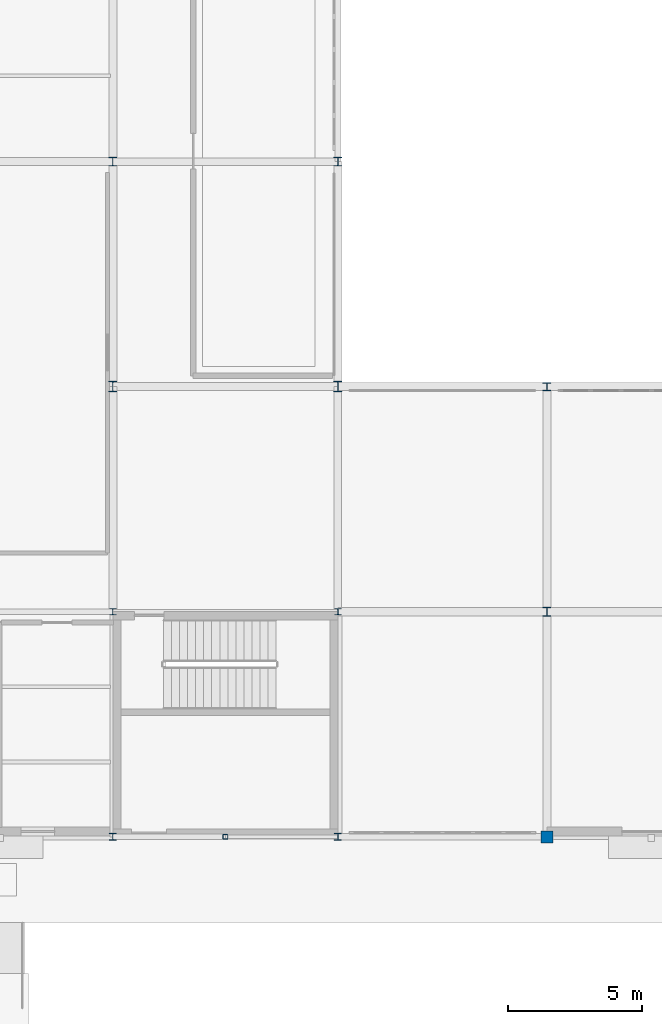
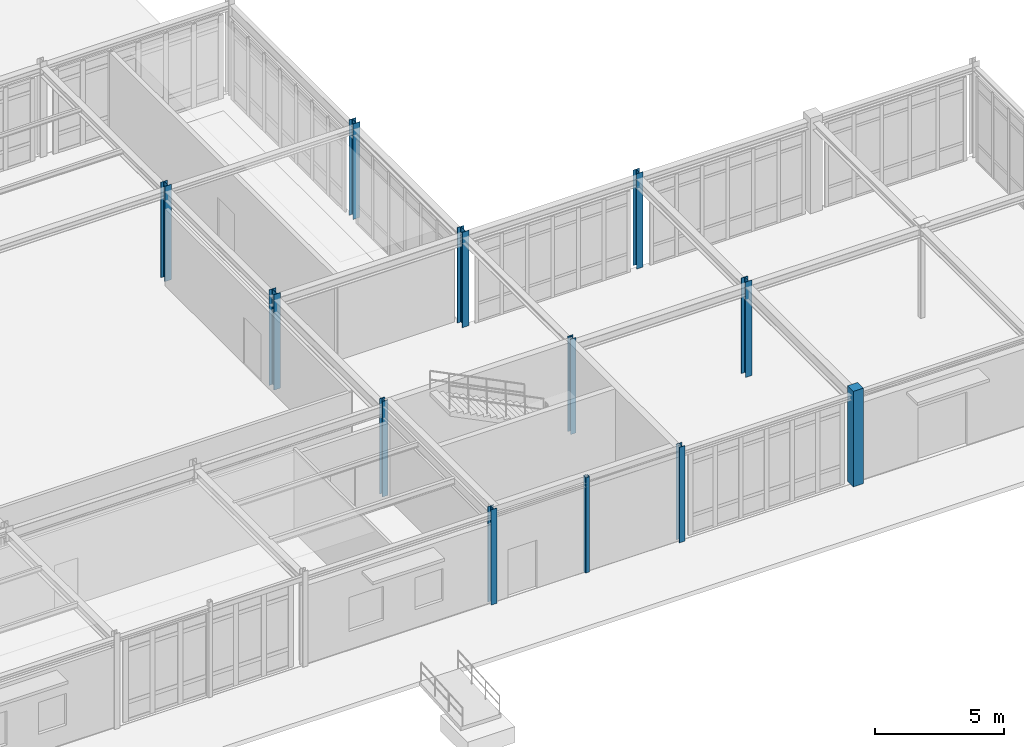
# One storey, part 19 of 101: 12 columns.
"""IFC4 building model written with IfcOpenShell, lengths in metres."""

from ifc_helpers import new_model, si_unit, derived_unit, direction, frame, origin, origin_2d, place, context, subcontext, project, spatial, rectangle, hollow_rectangle, i_section, extrude, material, material_profile, profile_set, type_object, element, save


model = new_model("IFC4")

# Units and contexts
model_context = context("Model", 3, precision=1e-05, world=origin(), true_north=direction((0.0, 1.0)))
body_context = subcontext(model_context, "Body", "Model", "MODEL_VIEW")
ifc_project = project(units=[si_unit("LENGTHUNIT", "METRE"), si_unit("AREAUNIT", "SQUARE_METRE"), si_unit("VOLUMEUNIT", "CUBIC_METRE"), si_unit("PLANEANGLEUNIT", "RADIAN"), si_unit("MASSUNIT", "GRAM", prefix="KILO"), derived_unit("THERMALTRANSMITTANCEUNIT", [(si_unit("POWERUNIT", "WATT"), 1), (si_unit("AREAUNIT", "SQUARE_METRE"), -1), (si_unit("THERMODYNAMICTEMPERATUREUNIT", "KELVIN"), -1)])], contexts=[model_context])

# Site, building, storey
site_placement = place(None, origin())
site = spatial("IfcSite", under=ifc_project, at=site_placement, CompositionType="ELEMENT")
building_placement = place(site_placement, origin())
building = spatial("IfcBuilding", under=site, at=building_placement, Name="Yasenodar Specialist Clinic", CompositionType="ELEMENT")
storey_placement = place(building_placement, origin())
storey = spatial("IfcBuildingStorey", under=building, at=storey_placement, Name="L00", CompositionType="ELEMENT", Elevation=0.0)

# Columns
ifc_material_1 = material(Name="Concrete C35/45", Category="concrete")
ifc_material_profile_1 = material_profile(ifc_material_1, rectangle(XDim=0.449951171875, YDim=0.449951171875, at=origin_2d()), Name="RC 450x450")
ifc_profile_set_1 = profile_set([ifc_material_profile_1], Name="Concrete C35/45")
column_type_1 = type_object("IfcColumnType", Name="COL-RC-450", PredefinedType="COLUMN", material=ifc_profile_set_1)
column_1_placement = place(storey_placement, frame((146.39990234375, 0.0, 0.0), z_axis=(0.0, 0.0, 1.0), x_axis=(1.0, 0.0, 0.0)))
element("IfcColumn", 1, at=column_1_placement, inside=storey, type_object=column_type_1, Name="L00 Column V3E-161", PredefinedType="COLUMN", context=body_context, shape_type="SweptSolid", body=[
    extrude(rectangle(XDim=0.449951171875, YDim=0.449951171875, at=origin_2d()), origin(), (0.0, 0.0, 1.0), 4.5),
])
ifc_material_2 = material(Name="Steel S355", Category="steel")
ifc_material_profile_2 = material_profile(ifc_material_2, i_section(OverallWidth=0.300048828125, OverallDepth=0.2900390625, WebThickness=0.008544921875, FlangeThickness=0.013916015625, FilletRadius=0.027099609375, at=origin_2d()), Name="HEA 300")
ifc_profile_set_2 = profile_set([ifc_material_profile_2], Name="Steel S355")
column_type_2 = type_object("IfcColumnType", Name="COL-ST-HEA300", PredefinedType="COLUMN", material=ifc_profile_set_2)
column_2_placement = place(storey_placement, frame((146.39990234375, 16.800048828125, 0.0), z_axis=(0.0, 0.0, 1.0), x_axis=(1.0, 0.0, 0.0)))
element("IfcColumn", 2, at=column_2_placement, inside=storey, type_object=column_type_2, Name="L00 Column V3E-163", PredefinedType="COLUMN", context=body_context, shape_type="SweptSolid", body=[
    extrude(i_section(OverallWidth=0.300048828125, OverallDepth=0.2900390625, WebThickness=0.008544921875, FlangeThickness=0.013916015625, FilletRadius=0.027099609375, at=origin_2d()), origin(), (0.0, 0.0, 1.0), 4.5),
])
ifc_material_profile_3 = material_profile(ifc_material_2, i_section(OverallWidth=0.300048828125, OverallDepth=0.330078125, WebThickness=0.009521484375, FlangeThickness=0.0166015625, FilletRadius=0.027099609375, at=origin_2d()), Name="HEA 340")
ifc_profile_set_3 = profile_set([ifc_material_profile_3], Name="Steel S355")
column_type_3 = type_object("IfcColumnType", Name="COL-ST-HEA340", PredefinedType="COLUMN", material=ifc_profile_set_3)
for number, where, z_axis, x_axis, name in (
    (3, (130.199951171875, 25.199951171875, 0.0), (0.0, 0.0, 1.0), (1.0, 0.0, 0.0), "L00 Column V3-149"),
    (4, (138.60009765625, 25.199951171875, 0.0), (0.0, 0.0, 1.0), (1.0, 0.0, 0.0), "L00 Column V3-159"),
    (5, (146.39990234375, 8.39990234375, 0.0), (0.0, 0.0, 1.0), (1.0, 0.0, 0.0), "L00 Column V3E-162"),
):
    element("IfcColumn", number, at=place(storey_placement, frame(where, z_axis=z_axis, x_axis=x_axis)), inside=storey, type_object=column_type_3, Name=name, PredefinedType="COLUMN", context=body_context, shape_type="SweptSolid", body=[
        extrude(i_section(OverallWidth=0.300048828125, OverallDepth=0.330078125, WebThickness=0.009521484375, FlangeThickness=0.0166015625, FilletRadius=0.027099609375, at=origin_2d()), origin(), (0.0, 0.0, 1.0), 4.5),
    ])
ifc_material_profile_4 = material_profile(ifc_material_2, i_section(OverallWidth=0.300048828125, OverallDepth=0.389892578125, WebThickness=0.010986328125, FlangeThickness=0.01904296875, FilletRadius=0.027099609375, at=origin_2d()), Name="HEA 400")
ifc_profile_set_4 = profile_set([ifc_material_profile_4], Name="Steel S355")
column_type_4 = type_object("IfcColumnType", Name="COL-ST-HEA400", PredefinedType="COLUMN", material=ifc_profile_set_4)
for number, where, z_axis, x_axis, name in (
    (6, (130.199951171875, 16.800048828125, 0.0), (0.0, 0.0, 1.0), (1.0, 0.0, 0.0), "L00 Column V3-148"),
    (7, (138.60009765625, 16.800048828125, 0.0), (0.0, 0.0, 1.0), (1.0, 0.0, 0.0), "L00 Column V3-158"),
):
    element("IfcColumn", number, at=place(storey_placement, frame(where, z_axis=z_axis, x_axis=x_axis)), inside=storey, type_object=column_type_4, Name=name, PredefinedType="COLUMN", context=body_context, shape_type="SweptSolid", body=[
        extrude(i_section(OverallWidth=0.300048828125, OverallDepth=0.389892578125, WebThickness=0.010986328125, FlangeThickness=0.01904296875, FilletRadius=0.027099609375, at=origin_2d()), origin(), (0.0, 0.0, 1.0), 4.5),
    ])
ifc_material_profile_5 = material_profile(ifc_material_2, i_section(OverallWidth=0.239990234375, OverallDepth=0.239990234375, WebThickness=0.010009765625, FlangeThickness=0.01708984375, FilletRadius=0.02099609375, at=origin_2d()), Name="HEB 240")
ifc_profile_set_5 = profile_set([ifc_material_profile_5], Name="Steel S355")
column_type_5 = type_object("IfcColumnType", Name="COL-ST-HEB240", PredefinedType="COLUMN", material=ifc_profile_set_5)
for number, where, z_axis, x_axis, name in (
    (8, (130.199951171875, 8.39990234375, 0.0), (0.0, 0.0, 1.0), (1.0, 0.0, 0.0), "L00 Column V3-147"),
    (9, (138.60009765625, 8.39990234375, 0.0), (0.0, 0.0, 1.0), (1.0, 0.0, 0.0), "L00 Column V3-157"),
):
    element("IfcColumn", number, at=place(storey_placement, frame(where, z_axis=z_axis, x_axis=x_axis)), inside=storey, type_object=column_type_5, Name=name, PredefinedType="COLUMN", context=body_context, shape_type="SweptSolid", body=[
        extrude(i_section(OverallWidth=0.239990234375, OverallDepth=0.239990234375, WebThickness=0.010009765625, FlangeThickness=0.01708984375, FilletRadius=0.02099609375, at=origin_2d()), origin(), (0.0, 0.0, 1.0), 4.5),
    ])
ifc_material_profile_6 = material_profile(ifc_material_2, i_section(OverallWidth=0.260009765625, OverallDepth=0.260009765625, WebThickness=0.010009765625, FlangeThickness=0.017578125, FilletRadius=0.02392578125, at=origin_2d()), Name="HEB 260")
ifc_profile_set_6 = profile_set([ifc_material_profile_6], Name="Steel S355")
column_type_6 = type_object("IfcColumnType", Name="COL-ST-HEB260", PredefinedType="COLUMN", material=ifc_profile_set_6)
for number, where, z_axis, x_axis, name in (
    (10, (130.199951171875, 0.0, 0.0), (0.0, 0.0, 1.0), (1.0, 0.0, 0.0), "L00 Column V3-146"),
    (11, (138.60009765625, 0.0, 0.0), (0.0, 0.0, 1.0), (1.0, 0.0, 0.0), "L00 Column V3-156"),
):
    element("IfcColumn", number, at=place(storey_placement, frame(where, z_axis=z_axis, x_axis=x_axis)), inside=storey, type_object=column_type_6, Name=name, PredefinedType="COLUMN", context=body_context, shape_type="SweptSolid", body=[
        extrude(i_section(OverallWidth=0.260009765625, OverallDepth=0.260009765625, WebThickness=0.010009765625, FlangeThickness=0.017578125, FilletRadius=0.02392578125, at=origin_2d()), origin(), (0.0, 0.0, 1.0), 4.5),
    ])
ifc_material_profile_7 = material_profile(ifc_material_2, hollow_rectangle(XDim=0.179931640625, YDim=0.179931640625, WallThickness=0.010009765625, InnerFilletRadius=0.014892578125, OuterFilletRadius=0.02490234375, at=origin_2d()), Name="SHS 180x180x10")
ifc_profile_set_7 = profile_set([ifc_material_profile_7], Name="Steel S355")
column_type_7 = type_object("IfcColumnType", Name="PIL-ST-SHS180", PredefinedType="PILASTER", material=ifc_profile_set_7)
column_3_placement = place(storey_placement, frame((134.39990234375, 0.0, 0.0), z_axis=(0.0, 0.0, 1.0), x_axis=(1.0, 0.0, 0.0)))
element("IfcColumn", 12, at=column_3_placement, inside=storey, type_object=column_type_7, Name="L00 Arcade Pilaster 06", PredefinedType="PILASTER", context=body_context, shape_type="SweptSolid", body=[
    extrude(hollow_rectangle(XDim=0.179931640625, YDim=0.179931640625, WallThickness=0.010009765625, InnerFilletRadius=0.014892578125, OuterFilletRadius=0.02490234375, at=origin_2d()), origin(), (0.0, 0.0, 1.0), 4.5),
])

save(model, "model.ifc")
